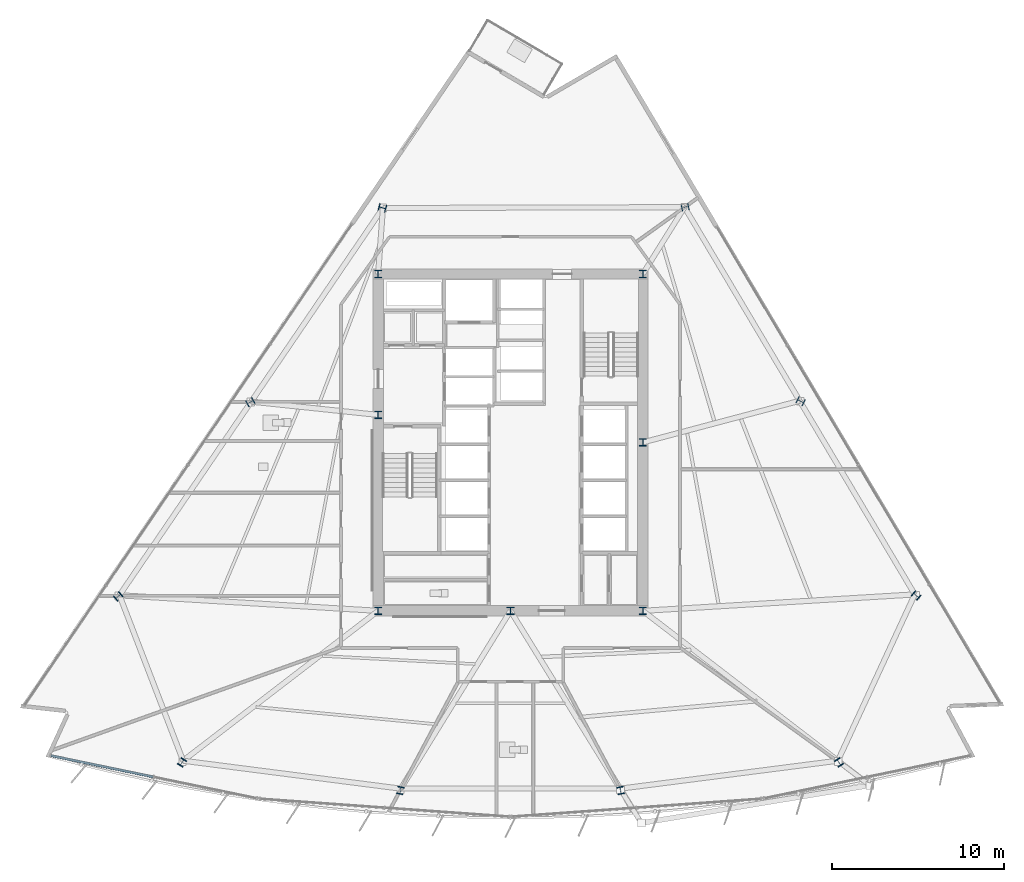
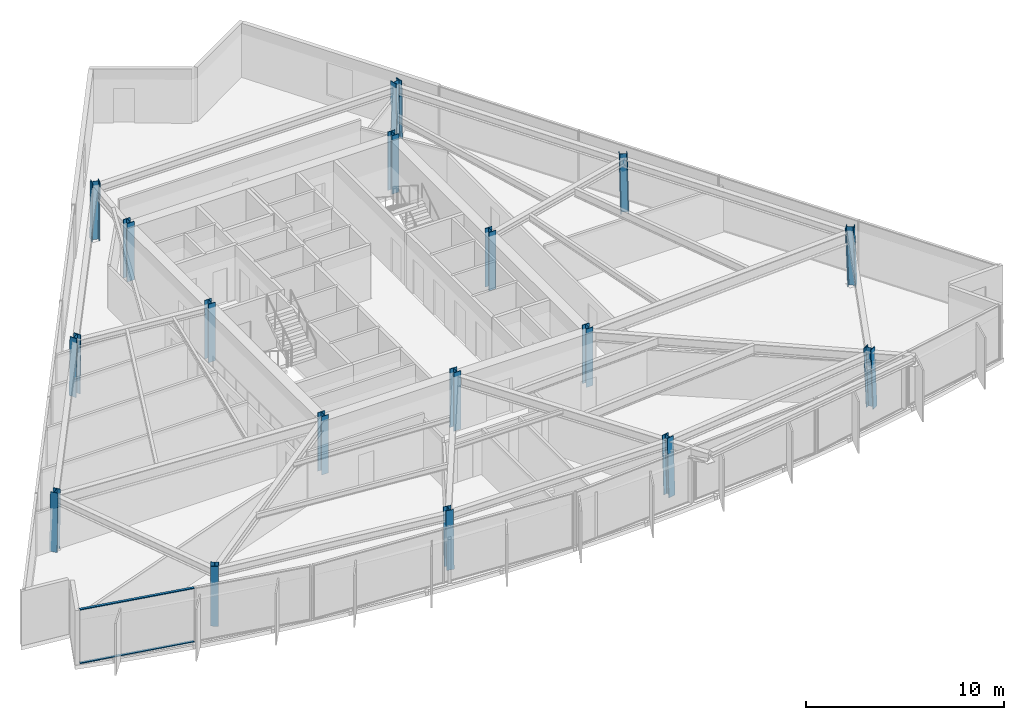
# One storey, part 1 of 15: 17 columns, 2 members, 1 element without a shape of its own.
"""IFC4 building model written with IfcOpenShell, lengths in metres."""

from ifc_helpers import new_model, si_unit, direction, frame, origin, origin_2d, place, context, subcontext, project, spatial, rectangle, i_section, extrude, material, material_profile, profile_set, type_object, element, aggregate, save


model = new_model("IFC4")

# Units and contexts
model_context = context("Model", 3, precision=1e-05, world=origin(), true_north=direction((0.0, 1.0)))
body_context = subcontext(model_context, "Body", "Model", "MODEL_VIEW")
ifc_project = project(units=[si_unit("LENGTHUNIT", "METRE"), si_unit("AREAUNIT", "SQUARE_METRE"), si_unit("VOLUMEUNIT", "CUBIC_METRE"), si_unit("PLANEANGLEUNIT", "RADIAN"), si_unit("MASSUNIT", "GRAM", prefix="KILO")], contexts=[model_context])

# Site, building, storey
site_placement = place(None, origin())
site = spatial("IfcSite", under=ifc_project, at=site_placement, CompositionType="ELEMENT")
building_placement = place(site_placement, origin())
building = spatial("IfcBuilding", under=site, at=building_placement, Name="Savorim Split Tower", CompositionType="ELEMENT")
storey_placement = place(building_placement, frame((0.0, 0.0, 89.699951171875)))
storey = spatial("IfcBuildingStorey", under=building, at=storey_placement, Name="L23", CompositionType="ELEMENT", Elevation=89.699951171875)

# Columns
ifc_material_1 = material(Name="Steel S460", Category="steel")
ifc_material_profile_1 = material_profile(ifc_material_1, i_section(OverallWidth=0.408935546875, OverallDepth=0.425048828125, WebThickness=0.020751953125, FlangeThickness=0.033935546875, FilletRadius=0.014892578125, at=origin_2d()), Name="HD 400x421")
ifc_profile_set_1 = profile_set([ifc_material_profile_1], Name="Steel S460")
column_type = type_object("IfcColumnType", Name="COL-HD-421", PredefinedType="COLUMN", material=ifc_profile_set_1)
for number, where, z_axis, x_axis, name in (
    (1, (-7.699951171875, -9.39990234375, 0.0), (0.0, 0.0, 1.0), (1.0, 0.0, 0.0), "L23 Core Structural Column TC-C1"),
    (2, (7.699951171875, -9.39990234375, 0.0), (0.0, 0.0, 1.0), (1.0, 0.0, 0.0), "L23 Core Structural Column TC-C2"),
    (3, (7.699951171875, 10.199951171875, 0.0), (0.0, 0.0, 1.0), (1.0, 0.0, 0.0), "L23 Core Structural Column TC-C3"),
    (4, (-7.699951171875, 10.199951171875, 0.0), (0.0, 0.0, 1.0), (1.0, 0.0, 0.0), "L23 Core Structural Column TC-C4"),
    (5, (0.0, -9.39990234375, 0.0), (0.0, 0.0, 1.0), (1.0, 0.0, 0.0), "L23 Core Structural Column TC-C5"),
    (6, (7.699951171875, 0.39990234375, 0.0), (0.0, 0.0, 1.0), (1.0, 0.0, 0.0), "L23 Core Structural Column TC-C6"),
    (7, (-7.699951171875, 2.0, 0.0), (0.0, 0.0, 1.0), (1.0, 0.0, 0.0), "L23 Core Structural Column TC-C7"),
):
    element("IfcColumn", number, at=place(storey_placement, frame(where, z_axis=z_axis, x_axis=x_axis)), inside=storey, type_object=column_type, Name=name, PredefinedType="COLUMN", context=body_context, shape_type="SweptSolid", body=[
        extrude(i_section(OverallWidth=0.408935546875, OverallDepth=0.425048828125, WebThickness=0.020751953125, FlangeThickness=0.033935546875, FilletRadius=0.014892578125, at=origin_2d()), origin(), (0.0, 0.0, 1.0), 3.60009765625),
    ])
column_1_placement = place(storey_placement, frame((-19.121337890625, -18.239501953125, 0.005615234375), z_axis=(0.020596339702, 0.033443561496, 0.99922836178), x_axis=(-0.851480003019, 0.52438707503, 0.0)))
element("IfcColumn", 8, at=column_1_placement, inside=storey, type_object=column_type, Name="L23 Tapered Perimeter Column PC-S1", PredefinedType="COLUMN", context=body_context, shape_type="SweptSolid", body=[
    extrude(i_section(OverallWidth=0.408935546875, OverallDepth=0.425048828125, WebThickness=0.020751953125, FlangeThickness=0.033935546875, FilletRadius=0.014892578125, at=origin_2d()), origin(), (0.0, 0.0, 1.0), 3.591552734375),
])
for number, where, z_axis, x_axis, name in (
    (9, (-6.40869140625, -19.871826171875, 0.005615234375), (0.006934288159, 0.035283289748, 0.999353293441), (-0.981229659911, 0.192842823335, 0.0), "L23 Tapered Perimeter Column PC-S2"),
    (10, (6.40869140625, -19.871826171875, 0.005615234375), (-0.006934288159, 0.035283289748, 0.999353293441), (-0.981229659911, -0.192842823335, 0.0), "L23 Tapered Perimeter Column PC-S3"),
):
    element("IfcColumn", number, at=place(storey_placement, frame(where, z_axis=z_axis, x_axis=x_axis)), inside=storey, type_object=column_type, Name=name, PredefinedType="COLUMN", context=body_context, shape_type="SweptSolid", body=[
        extrude(i_section(OverallWidth=0.408935546875, OverallDepth=0.425048828125, WebThickness=0.020751953125, FlangeThickness=0.033935546875, FilletRadius=0.014892578125, at=origin_2d()), origin(), (0.0, 0.0, 1.0), 3.59130859375),
    ])
column_2_placement = place(storey_placement, frame((19.121337890625, -18.239501953125, 0.005615234375), z_axis=(-0.020596339702, 0.033443561496, 0.99922836178), x_axis=(-0.851480003019, -0.52438707503, 0.0)))
element("IfcColumn", 11, at=column_2_placement, inside=storey, type_object=column_type, Name="L23 Tapered Perimeter Column PC-S4", PredefinedType="COLUMN", context=body_context, shape_type="SweptSolid", body=[
    extrude(i_section(OverallWidth=0.408935546875, OverallDepth=0.425048828125, WebThickness=0.020751953125, FlangeThickness=0.033935546875, FilletRadius=0.014892578125, at=origin_2d()), origin(), (0.0, 0.0, 1.0), 3.591552734375),
])
column_3_placement = place(storey_placement, frame((23.615234375, -8.521728515625, 0.005615234375), z_axis=(-0.026107436898, 0.021620221181, 0.999425318758), x_axis=(-0.637813971185, -0.770190455771, 0.0)))
element("IfcColumn", 12, at=column_3_placement, inside=storey, type_object=column_type, Name="L23 Tapered Perimeter Column PC-E1", PredefinedType="COLUMN", context=body_context, shape_type="SweptSolid", body=[
    extrude(i_section(OverallWidth=0.408935546875, OverallDepth=0.425048828125, WebThickness=0.020751953125, FlangeThickness=0.033935546875, FilletRadius=0.014892578125, at=origin_2d()), origin(), (0.0, 0.0, 1.0), 3.5908203125),
])
column_4_placement = place(storey_placement, frame((16.89111328125, 2.78662109375, 0.005615234375), z_axis=(-0.018907326549, 0.00952167524, 0.999775900241), x_axis=(-0.449781931574, -0.893138406984, 0.0)))
element("IfcColumn", 13, at=column_4_placement, inside=storey, type_object=column_type, Name="L23 Tapered Perimeter Column PC-E2", PredefinedType="COLUMN", context=body_context, shape_type="SweptSolid", body=[
    extrude(i_section(OverallWidth=0.408935546875, OverallDepth=0.425048828125, WebThickness=0.020751953125, FlangeThickness=0.033935546875, FilletRadius=0.014892578125, at=origin_2d()), origin(), (0.0, 0.0, 1.0), 3.589599609375),
])
for number, where, z_axis, x_axis, name in (
    (14, (10.1669921875, 14.0947265625, 0.005615234375), (-0.011699842352, -0.002516826552, 0.999928387072), (0.210305364179, -0.977635746993, 0.0), "L23 Tapered Perimeter Column PC-E3"),
    (15, (-7.45361328125, 14.0458984375, 0.005615234375), (0.008843163607, -0.002516900411, 0.999957730942), (0.273743828055, 0.961802639112, 0.0), "L23 Tapered Perimeter Column PC-W1"),
):
    element("IfcColumn", number, at=place(storey_placement, frame(where, z_axis=z_axis, x_axis=x_axis)), inside=storey, type_object=column_type, Name=name, PredefinedType="COLUMN", context=body_context, shape_type="SweptSolid", body=[
        extrude(i_section(OverallWidth=0.408935546875, OverallDepth=0.425048828125, WebThickness=0.020751953125, FlangeThickness=0.033935546875, FilletRadius=0.014892578125, at=origin_2d()), origin(), (0.0, 0.0, 1.0), 3.589111328125),
    ])
column_5_placement = place(storey_placement, frame((-15.146240234375, 2.73779296875, 0.005615234375), z_axis=(0.017003572908, 0.009522000828, 0.999810086971), x_axis=(-0.488603368932, 0.87250601595, 0.0)))
element("IfcColumn", 16, at=column_5_placement, inside=storey, type_object=column_type, Name="L23 Tapered Perimeter Column PC-W2", PredefinedType="COLUMN", context=body_context, shape_type="SweptSolid", body=[
    extrude(i_section(OverallWidth=0.408935546875, OverallDepth=0.425048828125, WebThickness=0.020751953125, FlangeThickness=0.033935546875, FilletRadius=0.014892578125, at=origin_2d()), origin(), (0.0, 0.0, 1.0), 3.589599609375),
])
column_6_placement = place(storey_placement, frame((-22.839111328125, -8.570556640625, 0.005615234375), z_axis=(0.025224163578, 0.021620711639, 0.999447990843), x_axis=(-0.650791373456, 0.759256602365, 0.0)))
element("IfcColumn", 17, at=column_6_placement, inside=storey, type_object=column_type, Name="L23 Tapered Perimeter Column PC-W3", PredefinedType="COLUMN", context=body_context, shape_type="SweptSolid", body=[
    extrude(i_section(OverallWidth=0.408935546875, OverallDepth=0.425048828125, WebThickness=0.020751953125, FlangeThickness=0.033935546875, FilletRadius=0.014892578125, at=origin_2d()), origin(), (0.0, 0.0, 1.0), 3.5908203125),
])

# Curtain wall, members
ifc_material_2 = material(Name="Dark Ceramic-Fritted Insulated Glass", Category="glass")
curtain_wall_type = type_object("IfcCurtainWallType", Name="CW-TWR-FRIT-A", PredefinedType="NOTDEFINED", material=ifc_material_2)
curtain_wall_placement = place(storey_placement, origin())
curtain_wall = element("IfcCurtainWall", 18, at=curtain_wall_placement, inside=storey, type_object=curtain_wall_type, Name="L23 Curtain Wall CW-L23-SF1", PredefinedType="NOTDEFINED")
ifc_material_3 = material(Name="Charcoal Anodised Aluminium", Category="aluminium")
ifc_material_profile_2 = material_profile(ifc_material_3, rectangle(XDim=0.139892578125, YDim=0.054931640625, at=origin_2d()), Name="ALU-T 140x55")
ifc_profile_set_2 = profile_set([ifc_material_profile_2], Name="Charcoal Anodised Aluminium")
member_type = type_object("IfcMemberType", Name="CWT-140x55", PredefinedType="USERDEFINED", material=ifc_profile_set_2)
member_1_placement = place(storey_placement, frame((-26.7333984375, -17.82373046875, 0.027587890625), z_axis=(0.97913534694, -0.203209183781, 0.0), x_axis=(0.203209183781, 0.97913534694, 0.0)))
member_1 = element("IfcMember", 19, at=member_1_placement, type_object=member_type, Name="CW-02 transom 1.1", ObjectType="TRANSOM", PredefinedType="USERDEFINED", context=body_context, shape_type="SweptSolid", body=[
    extrude(rectangle(XDim=0.139892578125, YDim=0.054931640625, at=origin_2d()), origin(), (0.0, 0.0, 1.0), 6.072021484375),
])
member_2_placement = place(storey_placement, frame((-26.7333984375, -17.82373046875, 3.322509765625), z_axis=(0.97913534694, -0.203209183781, 0.0), x_axis=(0.203209183781, 0.97913534694, 0.0)))
member_2 = element("IfcMember", 20, at=member_2_placement, type_object=member_type, Name="CW-02 transom 1.2", ObjectType="TRANSOM", PredefinedType="USERDEFINED", context=body_context, shape_type="SweptSolid", body=[
    extrude(rectangle(XDim=0.139892578125, YDim=0.054931640625, at=origin_2d()), origin(), (0.0, 0.0, 1.0), 6.072021484375),
])
aggregate(curtain_wall, [member_1, member_2])

save(model, "model.ifc")
